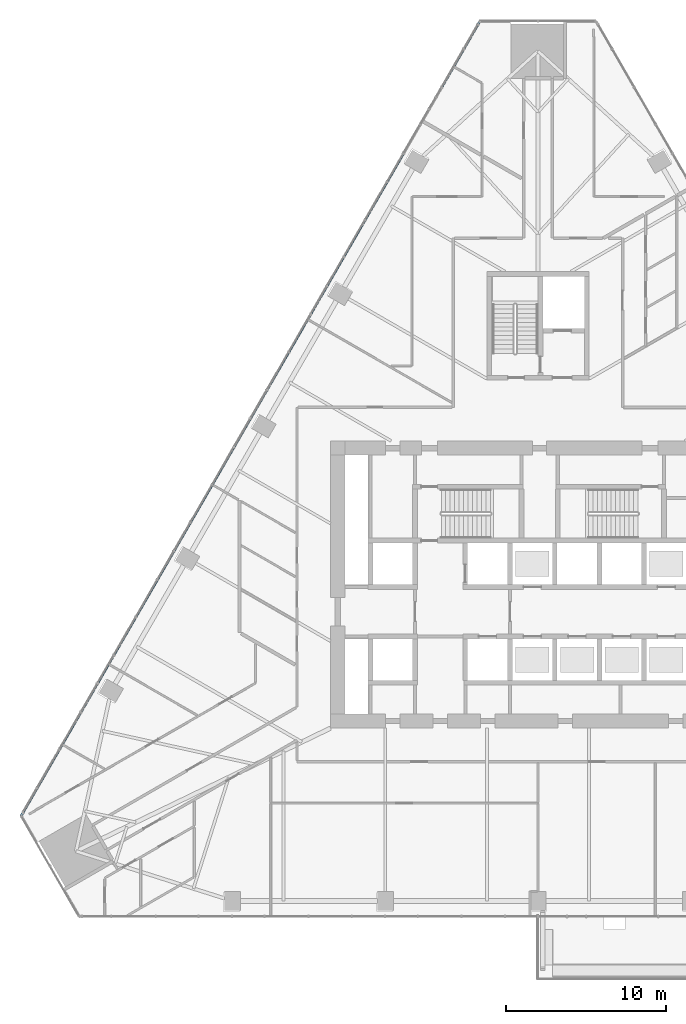
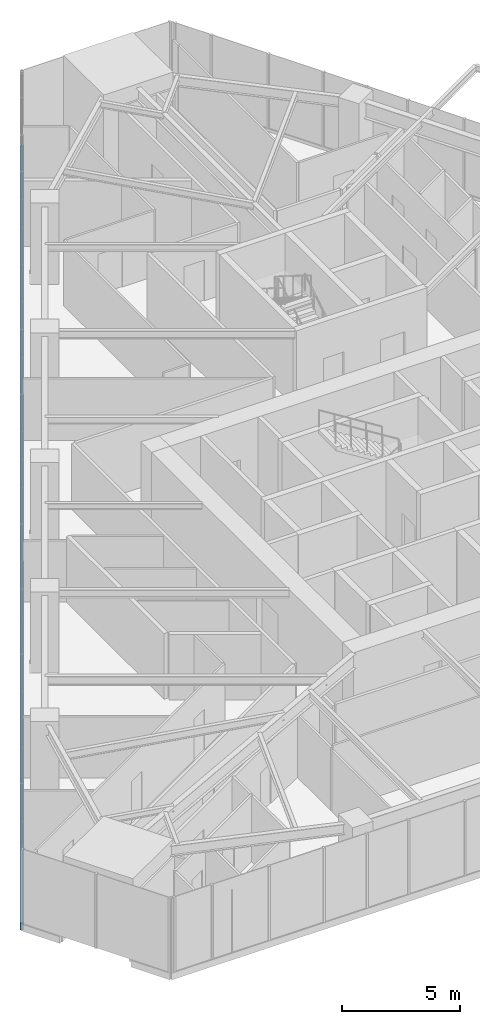
# One storey, part 7 of 29: 1 member, 1 element without a shape of its own.
"""IFC4 building model written with IfcOpenShell, lengths in metres."""

from ifc_helpers import new_model, si_unit, direction, frame, origin, origin_2d, place, context, subcontext, project, spatial, rectangle, extrude, material, layer, layer_set, material_profile, profile_set, type_object, element, aggregate, save


model = new_model("IFC4")

# Units and contexts
model_context = context("Model", 3, precision=1e-05, world=origin(), true_north=direction((0.0, 1.0)))
body_context = subcontext(model_context, "Body", "Model", "MODEL_VIEW")
ifc_project = project(units=[si_unit("LENGTHUNIT", "METRE"), si_unit("AREAUNIT", "SQUARE_METRE"), si_unit("VOLUMEUNIT", "CUBIC_METRE"), si_unit("PLANEANGLEUNIT", "RADIAN"), si_unit("MASSUNIT", "GRAM", prefix="KILO")], contexts=[model_context])

# Site, building, storey
site_placement = place(None, origin())
site = spatial("IfcSite", under=ifc_project, at=site_placement, CompositionType="ELEMENT")
building_placement = place(site_placement, origin())
building = spatial("IfcBuilding", under=site, at=building_placement, Name="Firuza Gate Tower and Library", CompositionType="ELEMENT")
storey_placement = place(building_placement, frame((0.0, 0.0, 48.39990234375)))
storey = spatial("IfcBuildingStorey", under=building, at=storey_placement, Name="L10", CompositionType="ELEMENT", Elevation=48.39990234375)

# Curtain wall, member
ifc_material_1 = material(Name="Aluminium 6063-T6", Category="aluminium")
ifc_layer = layer(ifc_material_1, 0.14990234375)
ifc_layer_set = layer_set([ifc_layer], Name="Unitised curtain wall, offices")
curtain_wall_type = type_object("IfcCurtainWallType", Name="Unitised curtain wall, offices", PredefinedType="NOTDEFINED", material=ifc_layer_set)
curtain_wall_placement = place(storey_placement, origin())
curtain_wall = element("IfcCurtainWall", 1, at=curtain_wall_placement, inside=storey, type_object=curtain_wall_type, Name="CW1 L10 W face", PredefinedType="NOTDEFINED")
ifc_material_2 = material(Name="Aluminium 6063-T6", Category="aluminium")
ifc_material_profile = material_profile(ifc_material_2, rectangle(XDim=0.14990234375, YDim=0.35009765625, at=origin_2d()))
ifc_profile_set = profile_set([ifc_material_profile], Name="Aluminium 6063-T6")
member_type = type_object("IfcMemberType", Name="Curtain wall transom 350x150", PredefinedType="USERDEFINED", material=ifc_profile_set)
member_placement = place(storey_placement, frame((71.356689453125, 110.29541015625, -0.02490234375), z_axis=(-0.499998032478, -0.866026539731, 0.0), x_axis=(0.866026539731, -0.499998032478, 0.0)))
member = element("IfcMember", 2, at=member_placement, type_object=member_type, Name="Transom", ObjectType="TRANSOM", PredefinedType="USERDEFINED", context=body_context, shape_type="SweptSolid", body=[
    extrude(rectangle(XDim=0.14990234375, YDim=0.35009765625, at=origin_2d()), origin(), (0.0, 0.0, 1.0), 57.489990234375),
])
aggregate(curtain_wall, [member])

save(model, "model.ifc")
